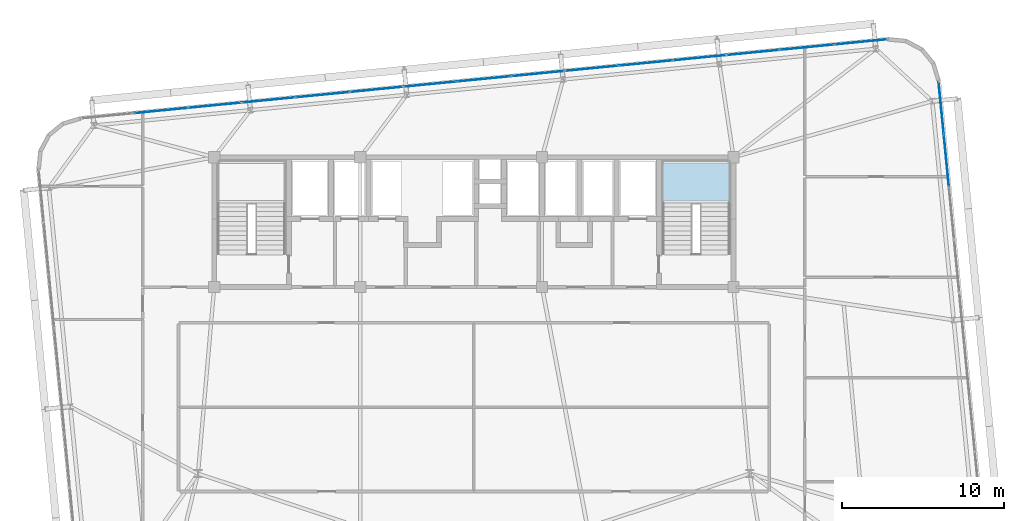
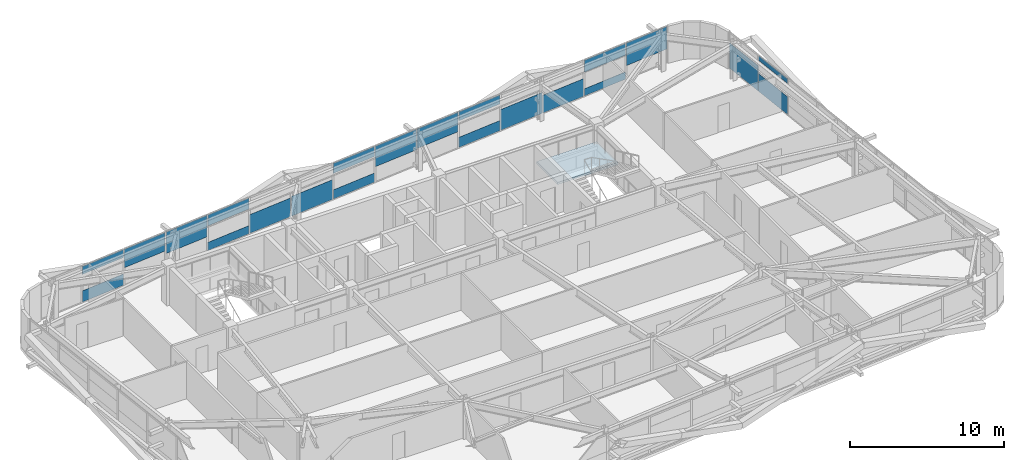
# One storey, part 37 of 52: 22 plates, 1 slab, 3 elements without a shape of their own.
"""IFC4 building model written with IfcOpenShell, lengths in metres."""

from ifc_helpers import new_model, si_unit, direction, frame, origin, origin_2d, place, context, subcontext, project, spatial, polyline, rectangle, outline, extrude, source, transform, mapped, material, layer, layer_set, type_object, element, aggregate, save


model = new_model("IFC4")

# Units and contexts
model_context = context("Model", 3, precision=1e-05, world=origin(), true_north=direction((0.0, 1.0)))
body_context = subcontext(model_context, "Body", "Model", "MODEL_VIEW")
ifc_project = project(units=[si_unit("LENGTHUNIT", "METRE"), si_unit("AREAUNIT", "SQUARE_METRE"), si_unit("VOLUMEUNIT", "CUBIC_METRE"), si_unit("PLANEANGLEUNIT", "RADIAN"), si_unit("MASSUNIT", "GRAM", prefix="KILO")], contexts=[model_context])

# Site, building, storey
site_placement = place(None, origin())
site = spatial("IfcSite", under=ifc_project, at=site_placement, CompositionType="ELEMENT")
building_placement = place(site_placement, origin())
building = spatial("IfcBuilding", under=site, at=building_placement, Name="Taldren Reach Tower", CompositionType="ELEMENT")
storey_placement = place(building_placement, frame((0.0, 0.0, 77.699951171875)))
storey = spatial("IfcBuildingStorey", under=building, at=storey_placement, Name="L23", CompositionType="ELEMENT", Elevation=77.699951171875)

# Stair, slab
ifc_material_1 = material(Name="Concrete S50 (50 MPa)", Category="concrete")
stair_type = type_object("IfcStairType", Name="ST-HT-315", PredefinedType="HALF_TURN_STAIR", material=ifc_material_1)
stair_placement = place(storey_placement, origin())
stair = element("IfcStair", 1, at=stair_placement, inside=storey, type_object=stair_type, Name="Fire-isolated exit stair ST2 L23", PredefinedType="HALF_TURN_STAIR")
ifc_layer_1 = layer(ifc_material_1, 0.179931640625)
ifc_layer_set_1 = layer_set([ifc_layer_1], Name="Concrete S50 (50 MPa)")
slab_type = type_object("IfcSlabType", Name="SL-LAND-180", PredefinedType="LANDING", material=ifc_layer_set_1)
slab_placement = place(storey_placement, frame((0.0, 0.0, 1.39501953125)))
slab = element("IfcSlab", 2, at=slab_placement, type_object=slab_type, Name="ST2 landing 1", PredefinedType="LANDING", context=body_context, shape_type="SweptSolid", body=[
    extrude(outline(polyline([(46.43994140625, 29.135009765625), (50.9599609375, 29.135009765625), (50.9599609375, 31.8701171875), (46.43994140625, 31.8701171875), (46.43994140625, 29.135009765625)])), origin(), (0.0, 0.0, 1.0), 0.179931640625),
])
aggregate(stair, [slab])

# Curtain wall, plates
ifc_material_2 = material(Name="Aluminium and Low-E Glass Unitised System", Category="aluminium")
ifc_layer_2 = layer(ifc_material_2, 0.159912109375)
ifc_layer_set_2 = layer_set([ifc_layer_2], Name="Aluminium and Low-E Glass Unitised System")
curtain_wall_type = type_object("IfcCurtainWallType", Name="CW-SYS-3", PredefinedType="NOTDEFINED", material=ifc_layer_set_2)
curtain_wall_1_placement = place(storey_placement, origin())
curtain_wall_1 = element("IfcCurtainWall", 3, at=curtain_wall_1_placement, inside=storey, type_object=curtain_wall_type, Name="Unitised curtain wall CW-L23-N", PredefinedType="NOTDEFINED")
ifc_material_3 = material(Name="Solar-Control Double Glazed IGU", Category="glass")
ifc_layer_3 = layer(ifc_material_3, 0.031982421875)
ifc_layer_set_3 = layer_set([ifc_layer_3], Name="Solar-Control Double Glazed IGU")
plate_type = type_object("IfcPlateType", Name="CW-PNL-IGU32", PredefinedType="CURTAIN_PANEL", material=ifc_layer_set_3)
shared_shape_1 = source(origin(), body_context, "Body", "SweptSolid", [
    extrude(rectangle(XDim=3.268310546875, YDim=0.031982421875, at=origin_2d()), origin(), (0.0, 0.0, 1.0), 0.88818359375),
])
plate_1_placement = place(storey_placement, frame((15.72705078125, 34.874267578125, 0.05517578125), z_axis=(0.0, 0.0, 1.0), x_axis=(-0.995227390247, -0.097582999046, 0.0)))
plate_1 = element("IfcPlate", 4, at=plate_1_placement, type_object=plate_type, Name="CW-3 panel 14.1 part 1", PredefinedType="CURTAIN_PANEL", context=body_context, shape_type="MappedRepresentation", body=[
    mapped(shared_shape_1, transform((0.0, 0.0, 0.0), scale=1.0)),
])
shared_shape_2 = source(origin(), body_context, "Body", "SweptSolid", [
    extrude(rectangle(XDim=3.268310546875, YDim=0.031982421875, at=origin_2d()), origin(), (0.0, 0.0, 1.0), 0.626953125),
])
plate_2_placement = place(storey_placement, frame((15.72705078125, 34.874267578125, 2.248046875), z_axis=(0.0, 0.0, 1.0), x_axis=(-0.995227390247, -0.097582999046, 0.0)))
plate_2 = element("IfcPlate", 5, at=plate_2_placement, type_object=plate_type, Name="CW-3 panel 14.1 part 2", PredefinedType="CURTAIN_PANEL", context=body_context, shape_type="MappedRepresentation", body=[
    mapped(shared_shape_2, transform((0.0, 0.0, 0.0), scale=1.0)),
])
shared_shape_3 = source(origin(), body_context, "Body", "SweptSolid", [
    extrude(rectangle(XDim=3.268310546875, YDim=0.031982421875, at=origin_2d()), origin(), (0.0, 0.0, 1.0), 1.4638671875),
])
plate_3_placement = place(storey_placement, frame((19.04443359375, 35.199462890625, 1.4111328125), z_axis=(0.0, 0.0, 1.0), x_axis=(-0.995227390247, -0.097582999046, 0.0)))
plate_3 = element("IfcPlate", 6, at=plate_3_placement, type_object=plate_type, Name="CW-3 panel 13.1 part 1", PredefinedType="CURTAIN_PANEL", context=body_context, shape_type="MappedRepresentation", body=[
    mapped(shared_shape_3, transform((0.0, 0.0, 0.0), scale=1.0)),
])
shared_shape_4 = source(origin(), body_context, "Body", "SweptSolid", [
    extrude(rectangle(XDim=3.268310546875, YDim=0.031982421875, at=origin_2d()), origin(), (0.0, 0.0, 1.0), 1.704833984375),
])
plate_4_placement = place(storey_placement, frame((22.36181640625, 35.52490234375, 1.17041015625), z_axis=(0.0, 0.0, 1.0), x_axis=(-0.995227390247, -0.097582999046, 0.0)))
plate_4 = element("IfcPlate", 7, at=plate_4_placement, type_object=plate_type, Name="CW-3 panel 12.1 part 1", PredefinedType="CURTAIN_PANEL", context=body_context, shape_type="MappedRepresentation", body=[
    mapped(shared_shape_4, transform((0.0, 0.0, 0.0), scale=1.0)),
])
shared_shape_5 = source(origin(), body_context, "Body", "SweptSolid", [
    extrude(rectangle(XDim=3.268310546875, YDim=0.031982421875, at=origin_2d()), origin(), (0.0, 0.0, 1.0), 0.647216796875),
])
plate_5_placement = place(storey_placement, frame((25.67919921875, 35.85009765625, 0.05517578125), z_axis=(0.0, 0.0, 1.0), x_axis=(-0.995227390247, -0.097582999046, 0.0)))
plate_5 = element("IfcPlate", 8, at=plate_5_placement, type_object=plate_type, Name="CW-3 panel 11.1 part 1", PredefinedType="CURTAIN_PANEL", context=body_context, shape_type="MappedRepresentation", body=[
    mapped(shared_shape_5, transform((0.0, 0.0, 0.0), scale=1.0)),
])
shared_shape_6 = source(origin(), body_context, "Body", "SweptSolid", [
    extrude(rectangle(XDim=3.268310546875, YDim=0.031982421875, at=origin_2d()), origin(), (0.0, 0.0, 1.0), 0.867919921875),
])
plate_6_placement = place(storey_placement, frame((25.67919921875, 35.85009765625, 2.00732421875), z_axis=(0.0, 0.0, 1.0), x_axis=(-0.995227390247, -0.097582999046, 0.0)))
plate_6 = element("IfcPlate", 9, at=plate_6_placement, type_object=plate_type, Name="CW-3 panel 11.1 part 2", PredefinedType="CURTAIN_PANEL", context=body_context, shape_type="MappedRepresentation", body=[
    mapped(shared_shape_6, transform((0.0, 0.0, 0.0), scale=1.0)),
])
shared_shape_7 = source(origin(), body_context, "Body", "SweptSolid", [
    extrude(rectangle(XDim=3.268310546875, YDim=0.031982421875, at=origin_2d()), origin(), (0.0, 0.0, 1.0), 1.484130859375),
])
plate_7_placement = place(storey_placement, frame((28.996826171875, 36.17529296875, 0.05517578125), z_axis=(0.0, 0.0, 1.0), x_axis=(-0.995227390247, -0.097582999046, 0.0)))
plate_7 = element("IfcPlate", 10, at=plate_7_placement, type_object=plate_type, Name="CW-3 panel 10.1 part 1", PredefinedType="CURTAIN_PANEL", context=body_context, shape_type="MappedRepresentation", body=[
    mapped(shared_shape_7, transform((0.0, 0.0, 0.0), scale=1.0)),
])
shared_shape_8 = source(origin(), body_context, "Body", "SweptSolid", [
    extrude(rectangle(XDim=3.268310546875, YDim=0.031982421875, at=origin_2d()), origin(), (0.0, 0.0, 1.0), 1.564453125),
])
plate_8_placement = place(storey_placement, frame((32.314208984375, 36.500732421875, 0.054931640625), z_axis=(0.0, 0.0, 1.0), x_axis=(-0.995227390247, -0.097582999046, 0.0)))
plate_8 = element("IfcPlate", 11, at=plate_8_placement, type_object=plate_type, Name="CW-3 panel 9.1 part 1", PredefinedType="CURTAIN_PANEL", context=body_context, shape_type="MappedRepresentation", body=[
    mapped(shared_shape_8, transform((0.0, 0.0, 0.0), scale=1.0)),
])
shared_shape_9 = source(origin(), body_context, "Body", "SweptSolid", [
    extrude(rectangle(XDim=3.268310546875, YDim=0.031982421875, at=origin_2d()), origin(), (0.0, 0.0, 1.0), 0.7275390625),
])
plate_9_placement = place(storey_placement, frame((35.631591796875, 36.825927734375, 0.05517578125), z_axis=(0.0, 0.0, 1.0), x_axis=(-0.995227390247, -0.097582999046, 0.0)))
plate_9 = element("IfcPlate", 12, at=plate_9_placement, type_object=plate_type, Name="CW-3 panel 8.1 part 1", PredefinedType="CURTAIN_PANEL", context=body_context, shape_type="MappedRepresentation", body=[
    mapped(shared_shape_9, transform((0.0, 0.0, 0.0), scale=1.0)),
])
shared_shape_10 = source(origin(), body_context, "Body", "SweptSolid", [
    extrude(rectangle(XDim=3.268310546875, YDim=0.031982421875, at=origin_2d()), origin(), (0.0, 0.0, 1.0), 0.78759765625),
])
plate_10_placement = place(storey_placement, frame((35.631591796875, 36.825927734375, 2.08740234375), z_axis=(0.0, 0.0, 1.0), x_axis=(-0.995227390247, -0.097582999046, 0.0)))
plate_10 = element("IfcPlate", 13, at=plate_10_placement, type_object=plate_type, Name="CW-3 panel 8.1 part 2", PredefinedType="CURTAIN_PANEL", context=body_context, shape_type="MappedRepresentation", body=[
    mapped(shared_shape_10, transform((0.0, 0.0, 0.0), scale=1.0)),
])
shared_shape_11 = source(origin(), body_context, "Body", "SweptSolid", [
    extrude(rectangle(XDim=3.268310546875, YDim=0.031982421875, at=origin_2d()), origin(), (0.0, 0.0, 1.0), 1.62451171875),
])
plate_11_placement = place(storey_placement, frame((38.948974609375, 37.151123046875, 1.25048828125), z_axis=(0.0, 0.0, 1.0), x_axis=(-0.995227390247, -0.097582999046, 0.0)))
plate_11 = element("IfcPlate", 14, at=plate_11_placement, type_object=plate_type, Name="CW-3 panel 7.1 part 1", PredefinedType="CURTAIN_PANEL", context=body_context, shape_type="MappedRepresentation", body=[
    mapped(shared_shape_11, transform((0.0, 0.0, 0.0), scale=1.0)),
])
shared_shape_12 = source(origin(), body_context, "Body", "SweptSolid", [
    extrude(rectangle(XDim=3.268310546875, YDim=0.031982421875, at=origin_2d()), origin(), (0.0, 0.0, 1.0), 1.544189453125),
])
plate_12_placement = place(storey_placement, frame((42.266357421875, 37.4765625, 1.3310546875), z_axis=(0.0, 0.0, 1.0), x_axis=(-0.995227390247, -0.097582999046, 0.0)))
plate_12 = element("IfcPlate", 15, at=plate_12_placement, type_object=plate_type, Name="CW-3 panel 6.1 part 1", PredefinedType="CURTAIN_PANEL", context=body_context, shape_type="MappedRepresentation", body=[
    mapped(shared_shape_12, transform((0.0, 0.0, 0.0), scale=1.0)),
])
shared_shape_13 = source(origin(), body_context, "Body", "SweptSolid", [
    extrude(rectangle(XDim=3.268310546875, YDim=0.031982421875, at=origin_2d()), origin(), (0.0, 0.0, 1.0), 0.807861328125),
])
plate_13_placement = place(storey_placement, frame((45.583740234375, 37.8017578125, 0.05517578125), z_axis=(0.0, 0.0, 1.0), x_axis=(-0.995227390247, -0.097582999046, 0.0)))
plate_13 = element("IfcPlate", 16, at=plate_13_placement, type_object=plate_type, Name="CW-3 panel 5.1 part 1", PredefinedType="CURTAIN_PANEL", context=body_context, shape_type="MappedRepresentation", body=[
    mapped(shared_shape_13, transform((0.0, 0.0, 0.0), scale=1.0)),
])
shared_shape_14 = source(origin(), body_context, "Body", "SweptSolid", [
    extrude(rectangle(XDim=3.268310546875, YDim=0.031982421875, at=origin_2d()), origin(), (0.0, 0.0, 1.0), 0.707275390625),
])
plate_14_placement = place(storey_placement, frame((45.583740234375, 37.8017578125, 2.16796875), z_axis=(0.0, 0.0, 1.0), x_axis=(-0.995227390247, -0.097582999046, 0.0)))
plate_14 = element("IfcPlate", 17, at=plate_14_placement, type_object=plate_type, Name="CW-3 panel 5.1 part 2", PredefinedType="CURTAIN_PANEL", context=body_context, shape_type="MappedRepresentation", body=[
    mapped(shared_shape_14, transform((0.0, 0.0, 0.0), scale=1.0)),
])
shared_shape_15 = source(origin(), body_context, "Body", "SweptSolid", [
    extrude(rectangle(XDim=3.268310546875, YDim=0.031982421875, at=origin_2d()), origin(), (0.0, 0.0, 1.0), 1.644775390625),
])
plate_15_placement = place(storey_placement, frame((48.9013671875, 38.126953125, 0.05517578125), z_axis=(0.0, 0.0, 1.0), x_axis=(-0.995227390247, -0.097582999046, 0.0)))
plate_15 = element("IfcPlate", 18, at=plate_15_placement, type_object=plate_type, Name="CW-3 panel 4.1 part 1", PredefinedType="CURTAIN_PANEL", context=body_context, shape_type="MappedRepresentation", body=[
    mapped(shared_shape_15, transform((0.0, 0.0, 0.0), scale=1.0)),
])
shared_shape_16 = source(origin(), body_context, "Body", "SweptSolid", [
    extrude(rectangle(XDim=3.268310546875, YDim=0.031982421875, at=origin_2d()), origin(), (0.0, 0.0, 1.0), 1.40380859375),
])
plate_16_placement = place(storey_placement, frame((52.21875, 38.452392578125, 0.054931640625), z_axis=(0.0, 0.0, 1.0), x_axis=(-0.995227390247, -0.097582999046, 0.0)))
plate_16 = element("IfcPlate", 19, at=plate_16_placement, type_object=plate_type, Name="CW-3 panel 3.1 part 1", PredefinedType="CURTAIN_PANEL", context=body_context, shape_type="MappedRepresentation", body=[
    mapped(shared_shape_16, transform((0.0, 0.0, 0.0), scale=1.0)),
])
shared_shape_17 = source(origin(), body_context, "Body", "SweptSolid", [
    extrude(rectangle(XDim=3.268310546875, YDim=0.031982421875, at=origin_2d()), origin(), (0.0, 0.0, 1.0), 0.56689453125),
])
plate_17_placement = place(storey_placement, frame((55.5361328125, 38.777587890625, 0.05517578125), z_axis=(0.0, 0.0, 1.0), x_axis=(-0.995227390247, -0.097582999046, 0.0)))
plate_17 = element("IfcPlate", 20, at=plate_17_placement, type_object=plate_type, Name="CW-3 panel 2.1 part 1", PredefinedType="CURTAIN_PANEL", context=body_context, shape_type="MappedRepresentation", body=[
    mapped(shared_shape_17, transform((0.0, 0.0, 0.0), scale=1.0)),
])
shared_shape_18 = source(origin(), body_context, "Body", "SweptSolid", [
    extrude(rectangle(XDim=3.268310546875, YDim=0.031982421875, at=origin_2d()), origin(), (0.0, 0.0, 1.0), 0.9482421875),
])
plate_18_placement = place(storey_placement, frame((55.5361328125, 38.777587890625, 1.9267578125), z_axis=(0.0, 0.0, 1.0), x_axis=(-0.995227390247, -0.097582999046, 0.0)))
plate_18 = element("IfcPlate", 21, at=plate_18_placement, type_object=plate_type, Name="CW-3 panel 2.1 part 2", PredefinedType="CURTAIN_PANEL", context=body_context, shape_type="MappedRepresentation", body=[
    mapped(shared_shape_18, transform((0.0, 0.0, 0.0), scale=1.0)),
])
shared_shape_19 = source(origin(), body_context, "Body", "SweptSolid", [
    extrude(rectangle(XDim=3.23583984375, YDim=0.031982421875, at=origin_2d()), origin(), (0.0, 0.0, 1.0), 1.78515625),
])
plate_19_placement = place(storey_placement, frame((58.83740234375, 39.101318359375, 1.08984375), z_axis=(0.0, 0.0, 1.0), x_axis=(-0.995227390247, -0.097582999046, 0.0)))
plate_19 = element("IfcPlate", 22, at=plate_19_placement, type_object=plate_type, Name="CW-3 panel 1.1 part 1", PredefinedType="CURTAIN_PANEL", context=body_context, shape_type="MappedRepresentation", body=[
    mapped(shared_shape_19, transform((0.0, 0.0, 0.0), scale=1.0)),
])
aggregate(curtain_wall_1, [plate_19, plate_17, plate_18, plate_16, plate_15, plate_13, plate_14, plate_12, plate_11, plate_9, plate_10, plate_8, plate_7, plate_5, plate_6, plate_4, plate_3, plate_1, plate_2])

curtain_wall_2_placement = place(storey_placement, origin())
curtain_wall_2 = element("IfcCurtainWall", 23, at=curtain_wall_2_placement, inside=storey, type_object=curtain_wall_type, Name="Unitised curtain wall CW-L23-E", PredefinedType="NOTDEFINED")
shared_shape_20 = source(origin(), body_context, "Body", "SweptSolid", [
    extrude(rectangle(XDim=3.18017578125, YDim=0.031982421875, at=origin_2d()), origin(), (0.0, 0.0, 1.0), 1.989501953125),
])
plate_20_placement = place(storey_placement, frame((63.79931640625, 35.051025390625, 0.05517578125), z_axis=(0.0, 0.0, 1.0), x_axis=(-0.09758274098, 0.99522741555, 0.0)))
plate_20 = element("IfcPlate", 24, at=plate_20_placement, type_object=plate_type, Name="CW-3 panel 9.1 part 1", PredefinedType="CURTAIN_PANEL", context=body_context, shape_type="MappedRepresentation", body=[
    mapped(shared_shape_20, transform((0.0, 0.0, 0.0), scale=1.0)),
])
shared_shape_21 = source(origin(), body_context, "Body", "SweptSolid", [
    extrude(rectangle(XDim=3.212890625, YDim=0.031982421875, at=origin_2d()), origin(), (0.0, 0.0, 1.0), 1.401611328125),
])
plate_21_placement = place(storey_placement, frame((64.117431640625, 31.80517578125, 0.05517578125), z_axis=(0.0, 0.0, 1.0), x_axis=(-0.09758274098, 0.99522741555, 0.0)))
plate_21 = element("IfcPlate", 25, at=plate_21_placement, type_object=plate_type, Name="CW-3 panel 8.1 part 1", PredefinedType="CURTAIN_PANEL", context=body_context, shape_type="MappedRepresentation", body=[
    mapped(shared_shape_21, transform((0.0, 0.0, 0.0), scale=1.0)),
])
shared_shape_22 = source(origin(), body_context, "Body", "SweptSolid", [
    extrude(rectangle(XDim=3.212890625, YDim=0.031982421875, at=origin_2d()), origin(), (0.0, 0.0, 1.0), 0.36474609375),
])
plate_22_placement = place(storey_placement, frame((64.117431640625, 31.80517578125, 2.51025390625), z_axis=(0.0, 0.0, 1.0), x_axis=(-0.09758274098, 0.99522741555, 0.0)))
plate_22 = element("IfcPlate", 26, at=plate_22_placement, type_object=plate_type, Name="CW-3 panel 8.1 part 2", PredefinedType="CURTAIN_PANEL", context=body_context, shape_type="MappedRepresentation", body=[
    mapped(shared_shape_22, transform((0.0, 0.0, 0.0), scale=1.0)),
])
aggregate(curtain_wall_2, [plate_21, plate_22, plate_20])

save(model, "model.ifc")
